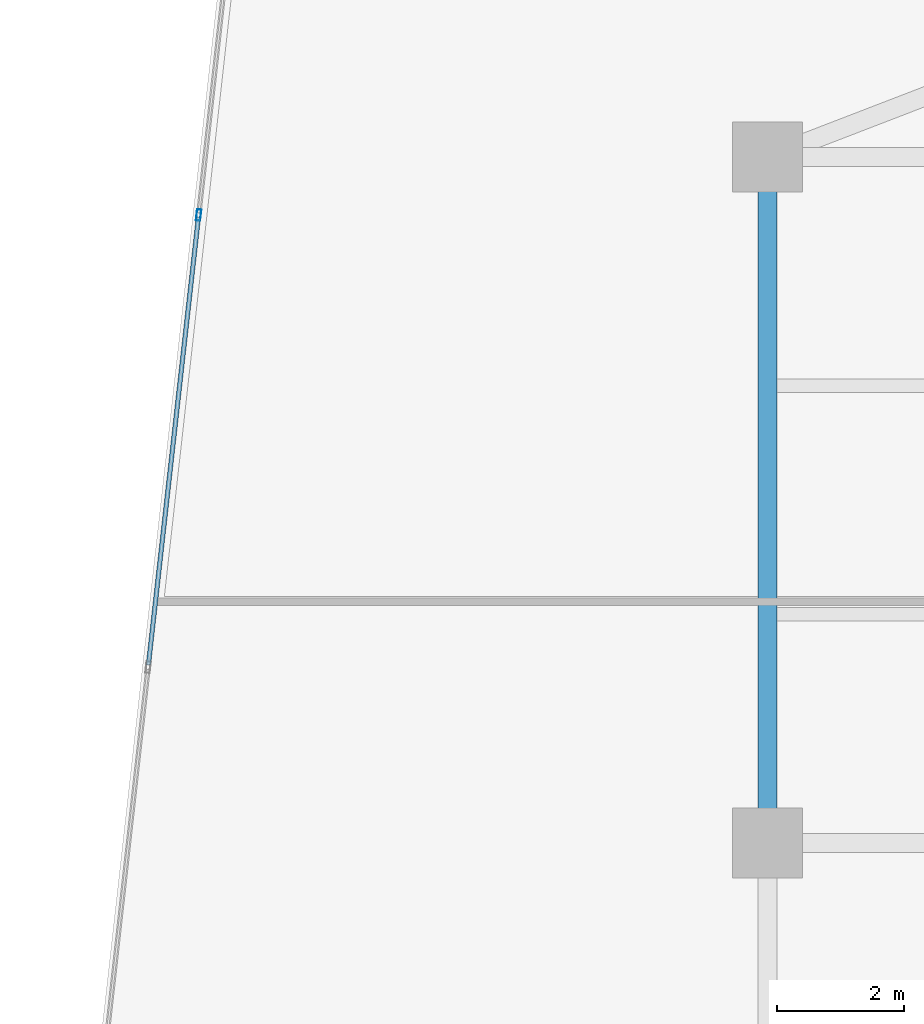
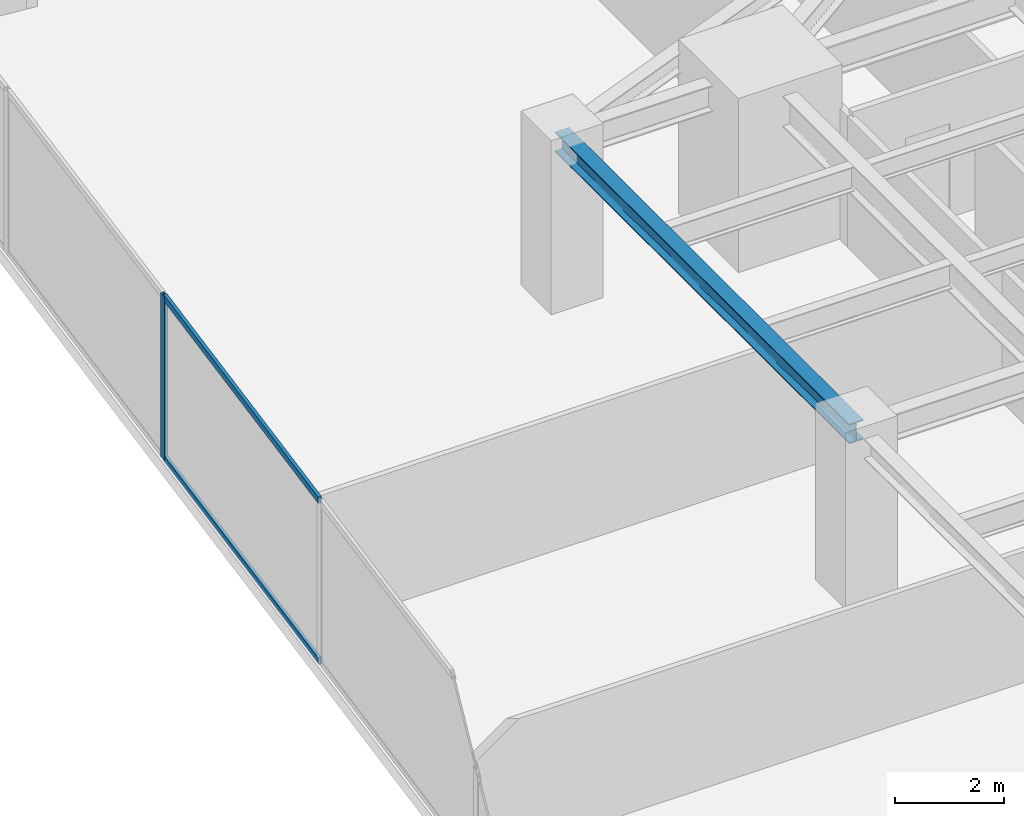
# One storey, part 15 of 31: 3 members, 1 beam, 1 element without a shape of its own.
"""IFC4 building model written with IfcOpenShell, lengths in metres."""

from ifc_helpers import new_model, si_unit, direction, frame, origin, origin_2d, place, context, subcontext, project, spatial, hollow_rectangle, i_section, extrude, source, transform, mapped, material, material_profile, profile_set, type_object, type_shapes, element, aggregate, save


model = new_model("IFC4")

# Units and contexts
model_context = context("Model", 3, precision=1e-05, world=origin(), true_north=direction((0.0, 1.0)))
body_context = subcontext(model_context, "Body", "Model", "MODEL_VIEW")
ifc_project = project(units=[si_unit("LENGTHUNIT", "METRE"), si_unit("AREAUNIT", "SQUARE_METRE"), si_unit("VOLUMEUNIT", "CUBIC_METRE"), si_unit("PLANEANGLEUNIT", "RADIAN"), si_unit("MASSUNIT", "GRAM", prefix="KILO")], contexts=[model_context])

# Site, building, storey
site_placement = place(None, origin())
site = spatial("IfcSite", under=ifc_project, at=site_placement, CompositionType="ELEMENT")
building_placement = place(site_placement, origin())
building = spatial("IfcBuilding", under=site, at=building_placement, Name="Krantzveldt Concourse Tower", CompositionType="ELEMENT")
storey_placement = place(building_placement, frame((0.0, 0.0, 56.60009765625)))
storey = spatial("IfcBuildingStorey", under=building, at=storey_placement, Name="L13", CompositionType="ELEMENT", Elevation=56.60009765625)

# Beam
ifc_material_1 = material(Name="Steel S355JR", Category="steel")
ifc_material_profile_1 = material_profile(ifc_material_1, i_section(OverallWidth=0.300048828125, OverallDepth=0.43994140625, WebThickness=0.011474609375, FlangeThickness=0.02099609375, FilletRadius=0.027099609375, at=origin_2d()), Name="Steel S355JR", Category="steel")
ifc_profile_set_1 = profile_set([ifc_material_profile_1], Name="Steel S355JR - HEA 450")
beam_type = type_object("IfcBeamType", Name="BM-SP-HEA450", PredefinedType="SPANDREL", material=ifc_profile_set_1)
shared_shape_1 = source(origin(), body_context, "Body", "SweptSolid", [
    extrude(i_section(OverallWidth=0.300048828125, OverallDepth=0.43994140625, WebThickness=0.011474609375, FlangeThickness=0.02099609375, FilletRadius=0.027099609375, at=origin_2d()), origin(), (0.0, 0.0, 1.0), 10.800048828125),
])
type_shapes(beam_type, [shared_shape_1])
beam_placement = place(storey_placement, frame((21.0, 26.699951171875, 3.449951171875), z_axis=(0.0, 1.0, 0.0), x_axis=(-1.0, 0.0, 0.0)))
element("IfcBeam", 1, at=beam_placement, inside=storey, type_object=beam_type, Name="L13 Tower Girder SP-R02", PredefinedType="SPANDREL", context=body_context, shape_type="MappedRepresentation", body=[
    mapped(shared_shape_1, transform((0.0, 0.0, 0.0), x_axis=(1.0, 0.0, 0.0), y_axis=(0.0, 1.0, 0.0), z_axis=(0.0, 0.0, 1.0), scale=1.0)),
])

# Curtain wall, members
ifc_material_2 = material(Name="Anodised aluminium 6063-T6", Category="aluminium")
curtain_wall_type = type_object("IfcCurtainWallType", Name="CW2", PredefinedType="USERDEFINED", material=ifc_material_2)
curtain_wall_placement = place(storey_placement, origin())
curtain_wall = element("IfcCurtainWall", 2, at=curtain_wall_placement, inside=storey, type_object=curtain_wall_type, Name="CW-L13-F01", ObjectType="UNITISED CURTAIN WALL", PredefinedType="USERDEFINED")
ifc_material_profile_2 = material_profile(ifc_material_2, hollow_rectangle(XDim=0.070068359375, YDim=0.179931640625, WallThickness=0.0048828125, at=origin_2d()), Name="Anodised aluminium 6063-T6", Category="aluminium")
ifc_profile_set_2 = profile_set([ifc_material_profile_2], Name="Anodised aluminium 6063-T6 - ALU-MULL 180x70x5")
member_type_1 = type_object("IfcMemberType", Name="CW-MUL-180", PredefinedType="MULLION", material=ifc_profile_set_2)
shared_shape_2 = source(origin(), body_context, "Body", "SweptSolid", [
    extrude(hollow_rectangle(XDim=0.070068359375, YDim=0.179931640625, WallThickness=0.0048828125, at=origin_2d()), origin(), (0.0, 0.0, 1.0), 3.669921875),
])
type_shapes(member_type_1, [shared_shape_2])
member_1_placement = place(storey_placement, frame((12.039794921875, 36.588134765625, 0.0), z_axis=(0.0, 0.0, 1.0), x_axis=(0.993816458223, -0.111035342863, 0.0)))
member_1 = element("IfcMember", 3, at=member_1_placement, type_object=member_type_1, Name="CW-Z12 mullion 3", PredefinedType="MULLION", context=body_context, shape_type="MappedRepresentation", body=[
    mapped(shared_shape_2, transform((0.0, 0.0, 0.0), x_axis=(1.0, 0.0, 0.0), y_axis=(0.0, 1.0, 0.0), z_axis=(0.0, 0.0, 1.0), scale=1.0)),
])
ifc_material_profile_3 = material_profile(ifc_material_2, hollow_rectangle(XDim=0.070068359375, YDim=0.139892578125, WallThickness=0.0048828125, at=origin_2d()), Name="Anodised aluminium 6063-T6", Category="aluminium")
ifc_profile_set_3 = profile_set([ifc_material_profile_3], Name="Anodised aluminium 6063-T6 - ALU-TRAN 140x70x5")
member_type_2 = type_object("IfcMemberType", Name="CW-TRN-150", PredefinedType="USERDEFINED", material=ifc_profile_set_3)
shared_shape_3 = source(origin(), body_context, "Body", "SweptSolid", [
    extrude(hollow_rectangle(XDim=0.070068359375, YDim=0.139892578125, WallThickness=0.0048828125, at=origin_2d()), origin(), (0.0, 0.0, 1.0), 7.0966796875),
])
type_shapes(member_type_2, [shared_shape_3])
member_2_placement = place(storey_placement, frame((12.035888671875, 36.553466796875, 0.034912109375), z_axis=(-0.111050746722, -0.993814737088, 0.0), x_axis=(0.993814737088, -0.111050746722, 0.0)))
member_2 = element("IfcMember", 4, at=member_2_placement, type_object=member_type_2, Name="CW-Z12 transom 3.1", ObjectType="TRANSOM", PredefinedType="USERDEFINED", context=body_context, shape_type="MappedRepresentation", body=[
    mapped(shared_shape_3, transform((0.0, 0.0, 0.0), x_axis=(1.0, 0.0, 0.0), y_axis=(0.0, 1.0, 0.0), z_axis=(0.0, 0.0, 1.0), scale=1.0)),
])
member_3_placement = place(storey_placement, frame((12.035888671875, 36.553466796875, 3.635009765625), z_axis=(-0.111050746722, -0.993814737088, 0.0), x_axis=(0.993814737088, -0.111050746722, 0.0)))
member_3 = element("IfcMember", 5, at=member_3_placement, type_object=member_type_2, Name="CW-Z12 transom 3.2", ObjectType="TRANSOM", PredefinedType="USERDEFINED", context=body_context, shape_type="MappedRepresentation", body=[
    mapped(shared_shape_3, transform((0.0, 0.0, 0.0), x_axis=(1.0, 0.0, 0.0), y_axis=(0.0, 1.0, 0.0), z_axis=(0.0, 0.0, 1.0), scale=1.0)),
])
aggregate(curtain_wall, [member_1, member_2, member_3])

save(model, "model.ifc")
